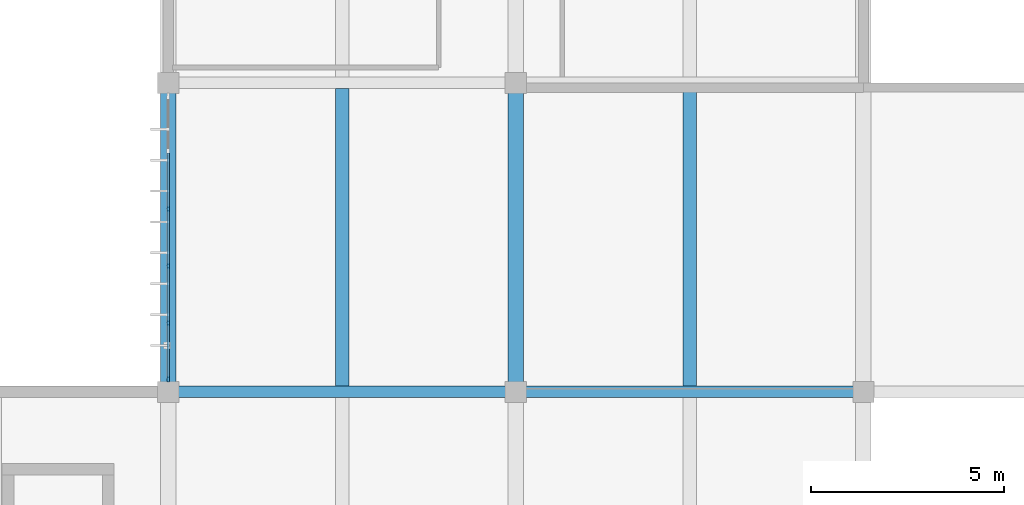
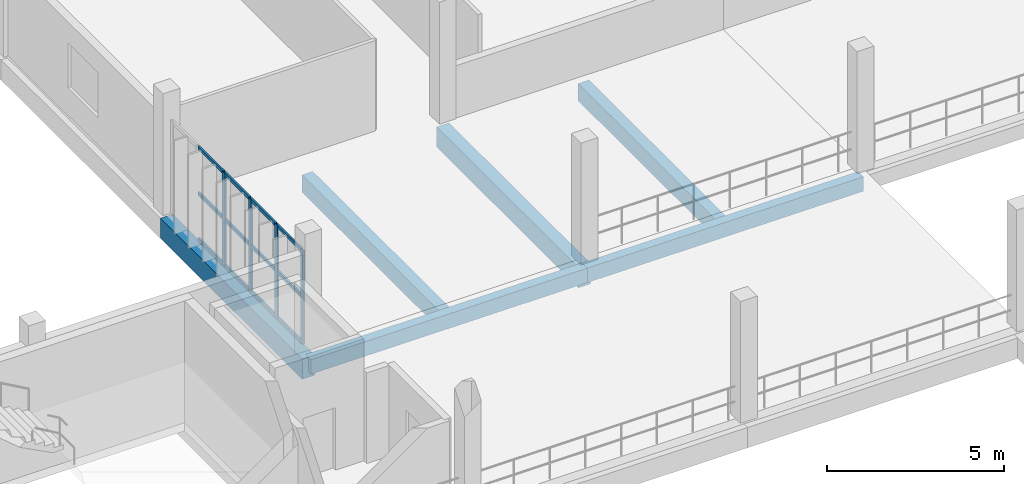
# One storey, part 6 of 61: 16 members, 6 beams, 1 element without a shape of its own.
"""IFC4 building model written with IfcOpenShell, lengths in metres."""

from ifc_helpers import new_model, si_unit, direction, frame, origin, origin_2d, place, context, subcontext, project, spatial, rectangle, extrude, material, material_profile, profile_set, type_object, element, aggregate, save


model = new_model("IFC4")

# Units and contexts
model_context = context("Model", 3, precision=1e-05, world=origin(), true_north=direction((0.0, 1.0)))
body_context = subcontext(model_context, "Body", "Model", "MODEL_VIEW")
ifc_project = project(units=[si_unit("LENGTHUNIT", "METRE"), si_unit("AREAUNIT", "SQUARE_METRE"), si_unit("VOLUMEUNIT", "CUBIC_METRE"), si_unit("PLANEANGLEUNIT", "RADIAN"), si_unit("MASSUNIT", "GRAM", prefix="KILO")], contexts=[model_context])

# Site, building, storey
site_placement = place(None, origin())
site = spatial("IfcSite", under=ifc_project, at=site_placement, CompositionType="ELEMENT")
building_placement = place(site_placement, origin())
building = spatial("IfcBuilding", under=site, at=building_placement, Name="Vourika Railside Aquatics Centre", CompositionType="ELEMENT")
storey_placement = place(building_placement, frame((0.0, 0.0, 9.300048828125)))
storey = spatial("IfcBuildingStorey", under=building, at=storey_placement, Name="L02", CompositionType="ELEMENT", Elevation=9.300048828125)

# Beams
ifc_material_1 = material(Name="Concrete C35/45", Category="concrete")
ifc_material_profile_1 = material_profile(ifc_material_1, rectangle(XDim=0.39990234375, YDim=0.699951171875, at=origin_2d()), Name="RC 400x700")
ifc_profile_set_1 = profile_set([ifc_material_profile_1], Name="Concrete C35/45")
beam_type_1 = type_object("IfcBeamType", Name="BM-GIRD-400x700", PredefinedType="BEAM", material=ifc_profile_set_1)
for number, where, z_axis, x_axis, name in (
    (1, (18.0, 58.0, -0.630126953125), (0.0, 1.0, 0.0), (-1.0, 0.0, 0.0), "Floor Girder GY-L02-153"),
    (2, (27.0, 58.0, -0.630126953125), (0.0, 1.0, 0.0), (-1.0, 0.0, 0.0), "Floor Girder GY-L02-161"),
):
    element("IfcBeam", number, at=place(storey_placement, frame(where, z_axis=z_axis, x_axis=x_axis)), inside=storey, type_object=beam_type_1, Name=name, PredefinedType="BEAM", context=body_context, shape_type="SweptSolid", body=[
        extrude(rectangle(XDim=0.39990234375, YDim=0.699951171875, at=origin_2d()), origin(), (0.0, 0.0, 1.0), 8.0),
    ])
ifc_material_profile_2 = material_profile(ifc_material_1, rectangle(XDim=0.35009765625, YDim=0.60009765625, at=origin_2d()), Name="RC 350x600")
ifc_profile_set_2 = profile_set([ifc_material_profile_2], Name="Concrete C35/45")
beam_type_2 = type_object("IfcBeamType", Name="BM-SEC-350x600", PredefinedType="JOIST", material=ifc_profile_set_2)
for number, where, z_axis, x_axis, name in (
    (3, (22.5, 58.14990234375, -0.580078125), (0.0, 1.0, 0.0), (-1.0, 0.0, 0.0), "Secondary Joist JY-L02-315"),
    (4, (31.5, 58.14990234375, -0.580078125), (0.0, 1.0, 0.0), (-1.0, 0.0, 0.0), "Secondary Joist JY-L02-316"),
):
    element("IfcBeam", number, at=place(storey_placement, frame(where, z_axis=z_axis, x_axis=x_axis)), inside=storey, type_object=beam_type_2, Name=name, PredefinedType="JOIST", context=body_context, shape_type="SweptSolid", body=[
        extrude(rectangle(XDim=0.35009765625, YDim=0.60009765625, at=origin_2d()), origin(), (0.0, 0.0, 1.0), 7.7001953125),
    ])
ifc_material_profile_3 = material_profile(ifc_material_1, rectangle(XDim=0.300048828125, YDim=0.5, at=origin_2d()), Name="RC 300x500")
ifc_profile_set_3 = profile_set([ifc_material_profile_3], Name="Concrete C35/45")
beam_type_3 = type_object("IfcBeamType", Name="BM-SPAN-300x500", PredefinedType="SPANDREL", material=ifc_profile_set_3)
for number, where, z_axis, x_axis, name in (
    (5, (18.0, 58.0, -0.530029296875), (1.0, 0.0, 0.0), (0.0, 1.0, 0.0), "Floor Beam GX-L02-050"),
    (6, (27.0, 58.0, -0.530029296875), (1.0, 0.0, 0.0), (0.0, 1.0, 0.0), "Floor Beam GX-L02-051"),
):
    element("IfcBeam", number, at=place(storey_placement, frame(where, z_axis=z_axis, x_axis=x_axis)), inside=storey, type_object=beam_type_3, Name=name, PredefinedType="SPANDREL", context=body_context, shape_type="SweptSolid", body=[
        extrude(rectangle(XDim=0.300048828125, YDim=0.5, at=origin_2d()), origin(), (0.0, 0.0, 1.0), 9.0),
    ])

# Curtain wall, members
ifc_material_2 = material(Name="Anodized thermally broken aluminium", Category="aluminium")
curtain_wall_type = type_object("IfcCurtainWallType", Name="CW-FIT2", PredefinedType="NOTDEFINED", material=ifc_material_2)
curtain_wall_placement = place(storey_placement, origin())
curtain_wall = element("IfcCurtainWall", 7, at=curtain_wall_placement, inside=storey, type_object=curtain_wall_type, Name="Fitness West Boulevard Curtain Wall L02-1", PredefinedType="NOTDEFINED")
ifc_material_3 = material(Name="Anodized aluminium mullion", Category="aluminium")
ifc_material_profile_4 = material_profile(ifc_material_3, rectangle(XDim=0.06005859375, YDim=0.14990234375, at=origin_2d()), Name="ALU-M 60x150")
ifc_profile_set_4 = profile_set([ifc_material_profile_4], Name="Anodized aluminium mullion")
member_type_1 = type_object("IfcMemberType", Name="CWM-FIT2", PredefinedType="MULLION", material=ifc_profile_set_4)
member_1_placement = place(storey_placement, frame((18.0, 62.739013671875, 0.0), z_axis=(0.0, 0.0, 1.0), x_axis=(1.0, 0.0, 0.0)))
member_1 = element("IfcMember", 8, at=member_1_placement, type_object=member_type_1, Name="CW16 mullion 3", PredefinedType="MULLION", context=body_context, shape_type="SweptSolid", body=[
    extrude(rectangle(XDim=0.06005859375, YDim=0.14990234375, at=origin_2d()), origin(), (0.0, 0.0, 1.0), 3.219970703125),
])
member_2_placement = place(storey_placement, frame((18.0, 61.260986328125, 0.0), z_axis=(0.0, 0.0, 1.0), x_axis=(1.0, 0.0, 0.0)))
member_2 = element("IfcMember", 9, at=member_2_placement, type_object=member_type_1, Name="CW16 mullion 4", PredefinedType="MULLION", context=body_context, shape_type="SweptSolid", body=[
    extrude(rectangle(XDim=0.06005859375, YDim=0.14990234375, at=origin_2d()), origin(), (0.0, 0.0, 1.0), 3.219970703125),
])
member_3_placement = place(storey_placement, frame((18.0, 59.782958984375, 0.0), z_axis=(0.0, 0.0, 1.0), x_axis=(1.0, 0.0, 0.0)))
member_3 = element("IfcMember", 10, at=member_3_placement, type_object=member_type_1, Name="CW16 mullion 5", PredefinedType="MULLION", context=body_context, shape_type="SweptSolid", body=[
    extrude(rectangle(XDim=0.06005859375, YDim=0.14990234375, at=origin_2d()), origin(), (0.0, 0.0, 1.0), 3.219970703125),
])
member_4_placement = place(storey_placement, frame((18.0, 58.3349609375, 0.0), z_axis=(0.0, 0.0, 1.0), x_axis=(1.0, 0.0, 0.0)))
member_4 = element("IfcMember", 11, at=member_4_placement, type_object=member_type_1, Name="CW16 mullion 6", PredefinedType="MULLION", context=body_context, shape_type="SweptSolid", body=[
    extrude(rectangle(XDim=0.06005859375, YDim=0.14990234375, at=origin_2d()), origin(), (0.0, 0.0, 1.0), 3.219970703125),
])
ifc_material_4 = material(Name="Anodized aluminium transom", Category="aluminium")
ifc_material_profile_5 = material_profile(ifc_material_4, rectangle(XDim=0.06005859375, YDim=0.117919921875, at=origin_2d()), Name="ALU-T 60x118")
ifc_profile_set_5 = profile_set([ifc_material_profile_5], Name="Anodized aluminium transom")
member_type_2 = type_object("IfcMemberType", Name="CWT-FIT2", PredefinedType="USERDEFINED", material=ifc_profile_set_5)
member_5_placement = place(storey_placement, frame((18.0, 64.18701171875, 0.030029296875), z_axis=(0.0, -1.0, 0.0), x_axis=(1.0, 0.0, 0.0)))
member_5 = element("IfcMember", 12, at=member_5_placement, type_object=member_type_2, Name="CW16 transom 2.1", ObjectType="TRANSOM", PredefinedType="USERDEFINED", context=body_context, shape_type="SweptSolid", body=[
    extrude(rectangle(XDim=0.06005859375, YDim=0.117919921875, at=origin_2d()), origin(), (0.0, 0.0, 1.0), 1.41796875),
])
member_6_placement = place(storey_placement, frame((18.0, 64.18701171875, 1.60986328125), z_axis=(0.0, -1.0, 0.0), x_axis=(1.0, 0.0, 0.0)))
member_6 = element("IfcMember", 13, at=member_6_placement, type_object=member_type_2, Name="CW16 transom 2.2", ObjectType="TRANSOM", PredefinedType="USERDEFINED", context=body_context, shape_type="SweptSolid", body=[
    extrude(rectangle(XDim=0.06005859375, YDim=0.117919921875, at=origin_2d()), origin(), (0.0, 0.0, 1.0), 1.41796875),
])
member_7_placement = place(storey_placement, frame((18.0, 64.18701171875, 3.18994140625), z_axis=(0.0, -1.0, 0.0), x_axis=(1.0, 0.0, 0.0)))
member_7 = element("IfcMember", 14, at=member_7_placement, type_object=member_type_2, Name="CW16 transom 2.3", ObjectType="TRANSOM", PredefinedType="USERDEFINED", context=body_context, shape_type="SweptSolid", body=[
    extrude(rectangle(XDim=0.06005859375, YDim=0.117919921875, at=origin_2d()), origin(), (0.0, 0.0, 1.0), 1.41796875),
])
member_8_placement = place(storey_placement, frame((18.0, 62.708984375, 0.030029296875), z_axis=(0.0, -1.0, 0.0), x_axis=(1.0, 0.0, 0.0)))
member_8 = element("IfcMember", 15, at=member_8_placement, type_object=member_type_2, Name="CW16 transom 3.1", ObjectType="TRANSOM", PredefinedType="USERDEFINED", context=body_context, shape_type="SweptSolid", body=[
    extrude(rectangle(XDim=0.06005859375, YDim=0.117919921875, at=origin_2d()), origin(), (0.0, 0.0, 1.0), 1.41796875),
])
member_9_placement = place(storey_placement, frame((18.0, 62.708984375, 1.60986328125), z_axis=(0.0, -1.0, 0.0), x_axis=(1.0, 0.0, 0.0)))
member_9 = element("IfcMember", 16, at=member_9_placement, type_object=member_type_2, Name="CW16 transom 3.2", ObjectType="TRANSOM", PredefinedType="USERDEFINED", context=body_context, shape_type="SweptSolid", body=[
    extrude(rectangle(XDim=0.06005859375, YDim=0.117919921875, at=origin_2d()), origin(), (0.0, 0.0, 1.0), 1.41796875),
])
member_10_placement = place(storey_placement, frame((18.0, 62.708984375, 3.18994140625), z_axis=(0.0, -1.0, 0.0), x_axis=(1.0, 0.0, 0.0)))
member_10 = element("IfcMember", 17, at=member_10_placement, type_object=member_type_2, Name="CW16 transom 3.3", ObjectType="TRANSOM", PredefinedType="USERDEFINED", context=body_context, shape_type="SweptSolid", body=[
    extrude(rectangle(XDim=0.06005859375, YDim=0.117919921875, at=origin_2d()), origin(), (0.0, 0.0, 1.0), 1.41796875),
])
member_11_placement = place(storey_placement, frame((18.0, 61.23095703125, 0.030029296875), z_axis=(0.0, -1.0, 0.0), x_axis=(1.0, 0.0, 0.0)))
member_11 = element("IfcMember", 18, at=member_11_placement, type_object=member_type_2, Name="CW16 transom 4.1", ObjectType="TRANSOM", PredefinedType="USERDEFINED", context=body_context, shape_type="SweptSolid", body=[
    extrude(rectangle(XDim=0.06005859375, YDim=0.117919921875, at=origin_2d()), origin(), (0.0, 0.0, 1.0), 1.41796875),
])
member_12_placement = place(storey_placement, frame((18.0, 61.23095703125, 1.60986328125), z_axis=(0.0, -1.0, 0.0), x_axis=(1.0, 0.0, 0.0)))
member_12 = element("IfcMember", 19, at=member_12_placement, type_object=member_type_2, Name="CW16 transom 4.2", ObjectType="TRANSOM", PredefinedType="USERDEFINED", context=body_context, shape_type="SweptSolid", body=[
    extrude(rectangle(XDim=0.06005859375, YDim=0.117919921875, at=origin_2d()), origin(), (0.0, 0.0, 1.0), 1.41796875),
])
member_13_placement = place(storey_placement, frame((18.0, 61.23095703125, 3.18994140625), z_axis=(0.0, -1.0, 0.0), x_axis=(1.0, 0.0, 0.0)))
member_13 = element("IfcMember", 20, at=member_13_placement, type_object=member_type_2, Name="CW16 transom 4.3", ObjectType="TRANSOM", PredefinedType="USERDEFINED", context=body_context, shape_type="SweptSolid", body=[
    extrude(rectangle(XDim=0.06005859375, YDim=0.117919921875, at=origin_2d()), origin(), (0.0, 0.0, 1.0), 1.41796875),
])
member_14_placement = place(storey_placement, frame((18.0, 59.7529296875, 0.030029296875), z_axis=(0.0, -1.0, 0.0), x_axis=(1.0, 0.0, 0.0)))
member_14 = element("IfcMember", 21, at=member_14_placement, type_object=member_type_2, Name="CW16 transom 5.1", ObjectType="TRANSOM", PredefinedType="USERDEFINED", context=body_context, shape_type="SweptSolid", body=[
    extrude(rectangle(XDim=0.06005859375, YDim=0.117919921875, at=origin_2d()), origin(), (0.0, 0.0, 1.0), 1.387939453125),
])
member_15_placement = place(storey_placement, frame((18.0, 59.7529296875, 1.60986328125), z_axis=(0.0, -1.0, 0.0), x_axis=(1.0, 0.0, 0.0)))
member_15 = element("IfcMember", 22, at=member_15_placement, type_object=member_type_2, Name="CW16 transom 5.2", ObjectType="TRANSOM", PredefinedType="USERDEFINED", context=body_context, shape_type="SweptSolid", body=[
    extrude(rectangle(XDim=0.06005859375, YDim=0.117919921875, at=origin_2d()), origin(), (0.0, 0.0, 1.0), 1.387939453125),
])
member_16_placement = place(storey_placement, frame((18.0, 59.7529296875, 3.18994140625), z_axis=(0.0, -1.0, 0.0), x_axis=(1.0, 0.0, 0.0)))
member_16 = element("IfcMember", 23, at=member_16_placement, type_object=member_type_2, Name="CW16 transom 5.3", ObjectType="TRANSOM", PredefinedType="USERDEFINED", context=body_context, shape_type="SweptSolid", body=[
    extrude(rectangle(XDim=0.06005859375, YDim=0.117919921875, at=origin_2d()), origin(), (0.0, 0.0, 1.0), 1.387939453125),
])
aggregate(curtain_wall, [member_1, member_2, member_3, member_4, member_5, member_6, member_7, member_8, member_9, member_10, member_11, member_12, member_13, member_14, member_15, member_16])

save(model, "model.ifc")
